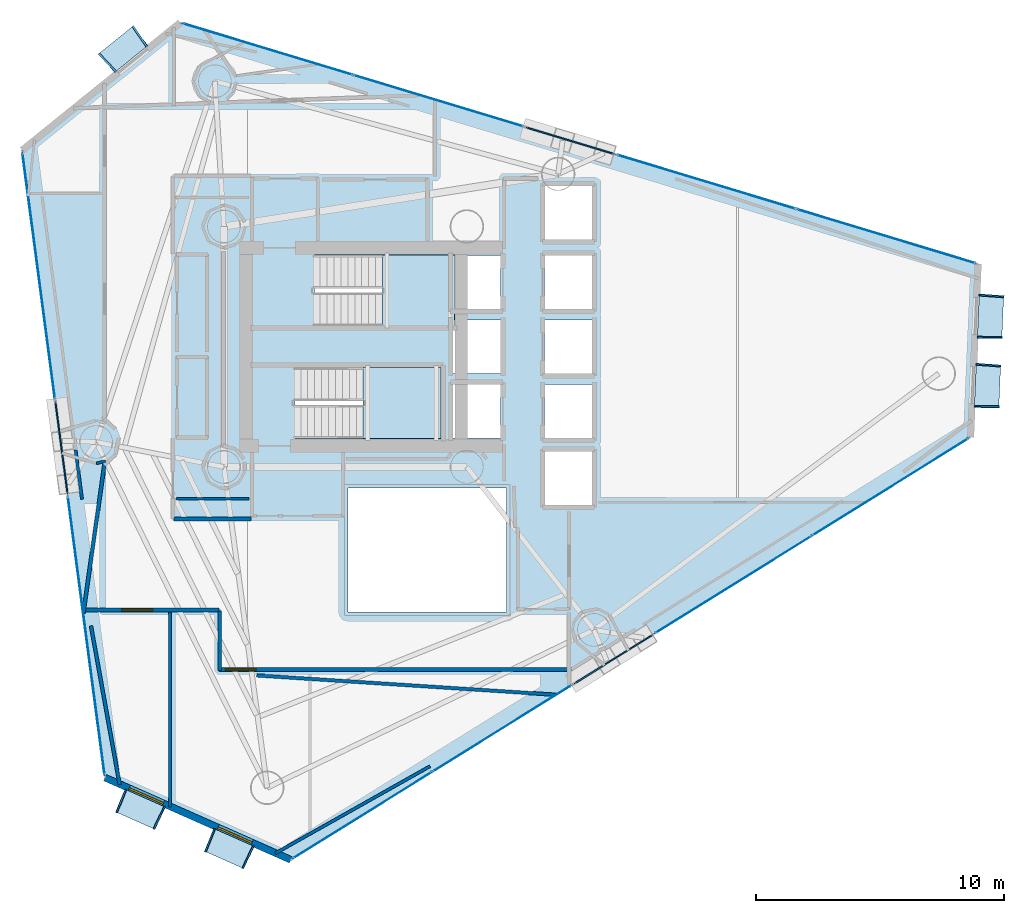
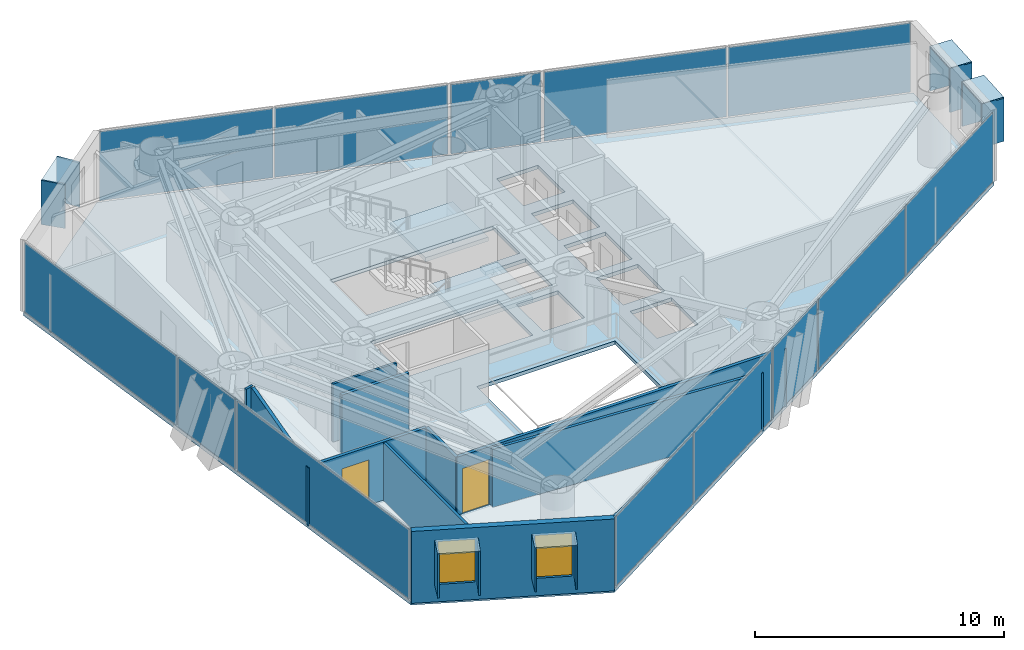
# One storey, part 17 of 22: 28 plates, 13 walls, 3 slabs, 2 doors, 2 windows, 4 openings, 11 elements without a shape of their own.
"""IFC4 building model written with IfcOpenShell, lengths in metres."""

from ifc_helpers import new_model, si_unit, direction, frame, frame_2d, origin, origin_2d, place, context, subcontext, project, spatial, polyline, rectangle, outline, extrude, material, layer, layer_set, type_object, element, fill, aggregate, save


model = new_model("IFC4")

# Units and contexts
model_context = context("Model", 3, precision=1e-05, world=origin(), true_north=direction((0.0, 1.0)))
body_context = subcontext(model_context, "Body", "Model", "MODEL_VIEW")
ifc_project = project(units=[si_unit("LENGTHUNIT", "METRE"), si_unit("AREAUNIT", "SQUARE_METRE"), si_unit("VOLUMEUNIT", "CUBIC_METRE"), si_unit("PLANEANGLEUNIT", "RADIAN"), si_unit("MASSUNIT", "GRAM", prefix="KILO")], contexts=[model_context])

# Site, building, storey
site_placement = place(None, origin())
site = spatial("IfcSite", under=ifc_project, at=site_placement, CompositionType="ELEMENT")
building_placement = place(site_placement, origin())
building = spatial("IfcBuilding", under=site, at=building_placement, Name="Qianvela Tower", CompositionType="ELEMENT")
storey_placement = place(building_placement, frame((0.0, 0.0, 177.199951171875)))
storey = spatial("IfcBuildingStorey", under=building, at=storey_placement, Name="L45", CompositionType="ELEMENT", Elevation=177.199951171875)

# Curtain wall, plate
ifc_material_1 = material(Name="Anodised Architectural Aluminium and Insulated Spandrel Panel", Category="aluminium")
ifc_layer_1 = layer(ifc_material_1, 0.179931640625)
ifc_layer_set_1 = layer_set([ifc_layer_1], Name="Anodised Architectural Aluminium and Insulated Spandrel Panel")
curtain_wall_type_1 = type_object("IfcCurtainWallType", Name="CW-BRACEBAY", PredefinedType="USERDEFINED", material=ifc_layer_set_1)
curtain_wall_1_placement = place(storey_placement, origin())
curtain_wall_1 = element("IfcCurtainWall", 1, at=curtain_wall_1_placement, inside=storey, type_object=curtain_wall_type_1, Name="L45 CW-BRACEBAY Curtain Wall 02B", ObjectType="CURTAIN_WALL_SYSTEM", PredefinedType="USERDEFINED")
ifc_material_2 = material(Name="Insulated Aluminium Spandrel Panel with Mineral-Wool Backpan", Category="aluminium")
ifc_layer_2 = layer(ifc_material_2, 0.06005859375)
ifc_layer_set_2 = layer_set([ifc_layer_2], Name="Insulated Aluminium Spandrel Panel with Mineral-Wool Backpan")
plate_type_1 = type_object("IfcPlateType", Name="CW-BRACEBAY-PNL", PredefinedType="CURTAIN_PANEL", material=ifc_layer_set_2)
plate_1_placement = place(storey_placement, frame((42.564453125, 37.013916015625, 0.06494140625), z_axis=(0.0, 0.0, 1.0), x_axis=(-0.95715321114, 0.289581992541, 0.0)))
plate_1 = element("IfcPlate", 2, at=plate_1_placement, type_object=plate_type_1, Name="CW-9 panel 1.1", PredefinedType="CURTAIN_PANEL", context=body_context, shape_type="SweptSolid", body=[
    extrude(rectangle(XDim=3.699951171875, YDim=0.06005859375, at=origin_2d()), origin(), (0.0, 0.0, 1.0), 3.389892578125),
])
aggregate(curtain_wall_1, [plate_1])

curtain_wall_2_placement = place(storey_placement, origin())
curtain_wall_2 = element("IfcCurtainWall", 3, at=curtain_wall_2_placement, inside=storey, type_object=curtain_wall_type_1, Name="L45 CW-BRACEBAY Curtain Wall 04B", ObjectType="CURTAIN_WALL_SYSTEM", PredefinedType="USERDEFINED")
plate_2_placement = place(storey_placement, frame((22.046630859375, 24.625244140625, 0.06494140625), z_axis=(0.0, 0.0, 1.0), x_axis=(0.130853552589, -0.99140170858, 0.0)))
plate_2 = element("IfcPlate", 4, at=plate_2_placement, type_object=plate_type_1, Name="CW-9 panel 1.1", PredefinedType="CURTAIN_PANEL", context=body_context, shape_type="SweptSolid", body=[
    extrude(rectangle(XDim=3.739990234375, YDim=0.06005859375, at=origin_2d()), origin(), (0.0, 0.0, 1.0), 3.389892578125),
])
aggregate(curtain_wall_2, [plate_2])

curtain_wall_3_placement = place(storey_placement, origin())
curtain_wall_3 = element("IfcCurtainWall", 5, at=curtain_wall_3_placement, inside=storey, type_object=curtain_wall_type_1, Name="L45 CW-BRACEBAY Curtain Wall 06B", ObjectType="CURTAIN_WALL_SYSTEM", PredefinedType="USERDEFINED")
plate_3_placement = place(storey_placement, frame((44.319091796875, 16.099365234375, 0.06494140625), z_axis=(0.0, 0.0, 1.0), x_axis=(0.84921548916, 0.528046449634, 0.0)))
plate_3 = element("IfcPlate", 6, at=plate_3_placement, type_object=plate_type_1, Name="CW-9 panel 1.1", PredefinedType="CURTAIN_PANEL", context=body_context, shape_type="SweptSolid", body=[
    extrude(rectangle(XDim=3.739990234375, YDim=0.06005859375, at=origin_2d()), origin(), (0.0, 0.0, 1.0), 3.389892578125),
])
aggregate(curtain_wall_3, [plate_3])

# Curtain wall, plates
ifc_material_3 = material(Name="Anodised Architectural Aluminium and Low-E Glass", Category="aluminium")
ifc_layer_3 = layer(ifc_material_3, 0.169921875)
ifc_layer_set_3 = layer_set([ifc_layer_3], Name="Anodised Architectural Aluminium and Low-E Glass")
curtain_wall_type_2 = type_object("IfcCurtainWallType", Name="CW-COLIV-Z34", PredefinedType="USERDEFINED", material=ifc_layer_set_3)
curtain_wall_4_placement = place(storey_placement, origin())
curtain_wall_4 = element("IfcCurtainWall", 7, at=curtain_wall_4_placement, inside=storey, type_object=curtain_wall_type_2, Name="L45 CW-COLIV-Z34 Curtain Wall 02A", ObjectType="CURTAIN_WALL_SYSTEM", PredefinedType="USERDEFINED")
ifc_material_4 = material(Name="Double-Silver Low-E Insulated Glass", Category="glass")
ifc_layer_4 = layer(ifc_material_4, 0.028076171875)
ifc_layer_set_4 = layer_set([ifc_layer_4], Name="Double-Silver Low-E Insulated Glass")
plate_type_2 = type_object("IfcPlateType", Name="CW-COLIV-Z34-PNL", PredefinedType="CURTAIN_PANEL", material=ifc_layer_set_4)
plate_4_placement = place(storey_placement, frame((55.31494140625, 33.156494140625, 0.06494140625), z_axis=(0.0, 0.0, 1.0), x_axis=(-0.957153586305, 0.28958075251, 0.0)))
plate_4 = element("IfcPlate", 8, at=plate_4_placement, type_object=plate_type_2, Name="CW-4 panel 1.1", PredefinedType="CURTAIN_PANEL", context=body_context, shape_type="SweptSolid", body=[
    extrude(rectangle(XDim=7.517578125, YDim=0.028076171875, at=origin_2d()), origin(), (0.0, 0.0, 1.0), 3.389892578125),
])
plate_5_placement = place(storey_placement, frame((48.057373046875, 35.35205078125, 0.06494140625), z_axis=(0.0, 0.0, 1.0), x_axis=(-0.957153586305, 0.28958075251, 0.0)))
plate_5 = element("IfcPlate", 9, at=plate_5_placement, type_object=plate_type_2, Name="CW-4 panel 2.1", PredefinedType="CURTAIN_PANEL", context=body_context, shape_type="SweptSolid", body=[
    extrude(rectangle(XDim=7.517578125, YDim=0.028076171875, at=origin_2d()), origin(), (0.0, 0.0, 1.0), 3.389892578125),
])
aggregate(curtain_wall_4, [plate_4, plate_5])

curtain_wall_5_placement = place(storey_placement, origin())
curtain_wall_5 = element("IfcCurtainWall", 10, at=curtain_wall_5_placement, inside=storey, type_object=curtain_wall_type_2, Name="L45 CW-COLIV-Z34 Curtain Wall 02C", ObjectType="CURTAIN_WALL_SYSTEM", PredefinedType="USERDEFINED")
plate_6_placement = place(storey_placement, frame((37.254638671875, 38.620361328125, 0.06494140625), z_axis=(0.0, 0.0, 1.0), x_axis=(-0.957152399024, 0.289584676809, 0.0)))
plate_6 = element("IfcPlate", 11, at=plate_6_placement, type_object=plate_type_2, Name="CW-4 panel 1.1", PredefinedType="CURTAIN_PANEL", context=body_context, shape_type="SweptSolid", body=[
    extrude(rectangle(XDim=7.135009765625, YDim=0.028076171875, at=origin_2d()), origin(), (0.0, 0.0, 1.0), 3.389892578125),
])
plate_7_placement = place(storey_placement, frame((30.363037109375, 40.70556640625, 0.06494140625), z_axis=(0.0, 0.0, 1.0), x_axis=(-0.957152399024, 0.289584676809, 0.0)))
plate_7 = element("IfcPlate", 12, at=plate_7_placement, type_object=plate_type_2, Name="CW-4 panel 2.1", PredefinedType="CURTAIN_PANEL", context=body_context, shape_type="SweptSolid", body=[
    extrude(rectangle(XDim=7.135009765625, YDim=0.028076171875, at=origin_2d()), origin(), (0.0, 0.0, 1.0), 3.389892578125),
])
aggregate(curtain_wall_5, [plate_6, plate_7])

# Curtain wall, plate
curtain_wall_6_placement = place(storey_placement, origin())
curtain_wall_6 = element("IfcCurtainWall", 13, at=curtain_wall_6_placement, inside=storey, type_object=curtain_wall_type_2, Name="L45 CW-COLIV-Z34 Curtain Wall 04A", ObjectType="CURTAIN_WALL_SYSTEM", PredefinedType="USERDEFINED")
plate_8_placement = place(storey_placement, frame((21.131103515625, 31.56005859375, 0.06494140625), z_axis=(0.0, 0.0, 1.0), x_axis=(0.130880096691, -0.991398204704, 0.0)))
plate_8 = element("IfcPlate", 14, at=plate_8_placement, type_object=plate_type_2, Name="CW-4 panel 1.1", PredefinedType="CURTAIN_PANEL", context=body_context, shape_type="SweptSolid", body=[
    extrude(rectangle(XDim=9.989990234375, YDim=0.028076171875, at=origin_2d()), origin(), (0.0, 0.0, 1.0), 3.389892578125),
])
aggregate(curtain_wall_6, [plate_8])

curtain_wall_7_placement = place(storey_placement, origin())
curtain_wall_7 = element("IfcCurtainWall", 15, at=curtain_wall_7_placement, inside=storey, type_object=curtain_wall_type_2, Name="L45 CW-COLIV-Z34 Curtain Wall 04C", ObjectType="CURTAIN_WALL_SYSTEM", PredefinedType="USERDEFINED")
plate_9_placement = place(storey_placement, frame((23.04833984375, 17.03662109375, 0.06494140625), z_axis=(0.0, 0.0, 1.0), x_axis=(0.130879195646, -0.991398323656, 0.0)))
plate_9 = element("IfcPlate", 16, at=plate_9_placement, type_object=plate_type_2, Name="CW-4 panel 1.1", PredefinedType="CURTAIN_PANEL", context=body_context, shape_type="SweptSolid", body=[
    extrude(rectangle(XDim=11.308837890625, YDim=0.028076171875, at=origin_2d()), origin(), (0.0, 0.0, 1.0), 3.389892578125),
])
aggregate(curtain_wall_7, [plate_9])

# Curtain wall, plates
curtain_wall_8_placement = place(storey_placement, origin())
curtain_wall_8 = element("IfcCurtainWall", 17, at=curtain_wall_8_placement, inside=storey, type_object=curtain_wall_type_2, Name="L45 CW-COLIV-Z34 Curtain Wall 06A", ObjectType="CURTAIN_WALL_SYSTEM", PredefinedType="USERDEFINED")
plate_10_placement = place(storey_placement, frame((34.186767578125, 9.799072265625, 0.06494140625), z_axis=(0.0, 0.0, 1.0), x_axis=(0.849221052644, 0.528037502216, 0.0)))
plate_10 = element("IfcPlate", 18, at=plate_10_placement, type_object=plate_type_2, Name="CW-4 panel 1.1", PredefinedType="CURTAIN_PANEL", context=body_context, shape_type="SweptSolid", body=[
    extrude(rectangle(XDim=6.577392578125, YDim=0.028076171875, at=origin_2d()), origin(), (0.0, 0.0, 1.0), 3.389892578125),
])
plate_11_placement = place(storey_placement, frame((39.82763671875, 13.306640625, 0.06494140625), z_axis=(0.0, 0.0, 1.0), x_axis=(0.849221052644, 0.528037502216, 0.0)))
plate_11 = element("IfcPlate", 19, at=plate_11_placement, type_object=plate_type_2, Name="CW-4 panel 2.1", PredefinedType="CURTAIN_PANEL", context=body_context, shape_type="SweptSolid", body=[
    extrude(rectangle(XDim=6.577392578125, YDim=0.028076171875, at=origin_2d()), origin(), (0.0, 0.0, 1.0), 3.389892578125),
])
aggregate(curtain_wall_8, [plate_10, plate_11])

curtain_wall_9_placement = place(storey_placement, origin())
curtain_wall_9 = element("IfcCurtainWall", 20, at=curtain_wall_9_placement, inside=storey, type_object=curtain_wall_type_2, Name="L45 CW-COLIV-Z34 Curtain Wall 06C", ObjectType="CURTAIN_WALL_SYSTEM", PredefinedType="USERDEFINED")
plate_12_placement = place(storey_placement, frame((49.154296875, 19.105712890625, 0.06494140625), z_axis=(0.0, 0.0, 1.0), x_axis=(0.849220964576, 0.528037643852, 0.0)))
plate_12 = element("IfcPlate", 21, at=plate_12_placement, type_object=plate_type_2, Name="CW-4 panel 1.1", PredefinedType="CURTAIN_PANEL", context=body_context, shape_type="SweptSolid", body=[
    extrude(rectangle(XDim=7.387451171875, YDim=0.028076171875, at=origin_2d()), origin(), (0.0, 0.0, 1.0), 3.389892578125),
])
plate_13_placement = place(storey_placement, frame((55.48291015625, 23.041015625, 0.06494140625), z_axis=(0.0, 0.0, 1.0), x_axis=(0.849220964576, 0.528037643852, 0.0)))
plate_13 = element("IfcPlate", 22, at=plate_13_placement, type_object=plate_type_2, Name="CW-4 panel 2.1", PredefinedType="CURTAIN_PANEL", context=body_context, shape_type="SweptSolid", body=[
    extrude(rectangle(XDim=7.387451171875, YDim=0.028076171875, at=origin_2d()), origin(), (0.0, 0.0, 1.0), 3.389892578125),
])
aggregate(curtain_wall_9, [plate_12, plate_13])

# Slab
ifc_material_5 = material(Name="Concrete C40", Category="concrete")
ifc_layer_5 = layer(ifc_material_5, 0.179931640625)
ifc_layer_set_5 = layer_set([ifc_layer_5], Name="Concrete C40")
slab_type_1 = type_object("IfcSlabType", Name="SL-FLOOR-180", PredefinedType="FLOOR", material=ifc_layer_set_5)
slab_1_placement = place(storey_placement, frame((0.0, 0.0, -0.179931640625)))
element("IfcSlab", 23, at=slab_1_placement, inside=storey, type_object=slab_type_1, Name="L45 Composite Structural Floor Slab", PredefinedType="FLOOR", context=body_context, shape_type="SweptSolid", body=[
    extrude(outline(polyline([(58.717529296875, 25.052001953125), (59.022705078125, 32.03466796875), (26.83837890625, 41.77197265625), (20.46240234375, 36.6259765625), (23.803466796875, 11.31689453125), (31.296142578125, 8.001708984375), (58.717529296875, 25.052001953125)]), holes=[polyline([(40.0, 23.0), (33.60009765625, 23.0), (33.60009765625, 18.0), (40.0, 18.0), (40.0, 23.0)]), polyline([(39.760009765625, 27.179931640625), (37.840087890625, 27.179931640625), (37.840087890625, 25.02001953125), (39.760009765625, 25.02001953125), (39.760009765625, 27.179931640625)]), polyline([(37.35009765625, 27.860107421875), (31.469970703125, 27.860107421875), (31.469970703125, 25.0), (37.35009765625, 25.0), (37.35009765625, 27.860107421875)]), polyline([(37.840087890625, 27.6201171875), (39.760009765625, 27.6201171875), (39.760009765625, 29.780029296875), (37.89990234375, 29.780029296875), (37.89990234375, 30.219970703125), (39.760009765625, 30.219970703125), (39.760009765625, 32.3798828125), (37.89990234375, 32.3798828125), (37.89990234375, 32.39990234375), (32.25, 32.39990234375), (32.25, 29.5400390625), (37.840087890625, 29.5400390625), (37.840087890625, 27.6201171875)]), polyline([(43.4599609375, 22.320068359375), (43.4599609375, 24.47998046875), (41.5400390625, 24.47998046875), (41.5400390625, 22.320068359375), (43.4599609375, 22.320068359375)]), polyline([(43.4599609375, 25.02001953125), (43.4599609375, 27.179931640625), (41.5400390625, 27.179931640625), (41.5400390625, 25.02001953125), (43.4599609375, 25.02001953125)]), polyline([(43.4599609375, 29.780029296875), (41.5400390625, 29.780029296875), (41.5400390625, 27.6201171875), (43.4599609375, 27.6201171875), (43.4599609375, 29.780029296875)]), polyline([(43.4599609375, 30.219970703125), (43.4599609375, 32.3798828125), (41.5400390625, 32.3798828125), (41.5400390625, 30.219970703125), (43.4599609375, 30.219970703125)]), polyline([(43.4599609375, 33.02001953125), (43.4599609375, 35.179931640625), (41.5400390625, 35.179931640625), (41.5400390625, 33.02001953125), (43.4599609375, 33.02001953125)])]), origin(), (0.0, 0.0, 1.0), 0.179931640625),
])

# Stair, slab
ifc_material_6 = material(Name="Concrete C40", Category="concrete")
stair_type = type_object("IfcStairType", Name="ST-DOGLEG-1350-R168-N22", PredefinedType="HALF_TURN_STAIR", material=ifc_material_6)
stair_1_placement = place(storey_placement, origin())
stair_1 = element("IfcStair", 24, at=stair_1_placement, inside=storey, type_object=stair_type, Name="L45 Smoke-Proof Core Stair ST-1", PredefinedType="HALF_TURN_STAIR")
ifc_material_7 = material(Name="Concrete C40", Category="concrete")
ifc_layer_6 = layer(ifc_material_7, 0.199951171875)
ifc_layer_set_6 = layer_set([ifc_layer_6], Name="Concrete C40")
slab_type_2 = type_object("IfcSlabType", Name="SL-STAIR-LANDING-200", PredefinedType="LANDING", material=ifc_layer_set_6)
slab_2_placement = place(storey_placement, frame((0.0, 0.0, 1.650146484375)))
slab_2 = element("IfcSlab", 25, at=slab_2_placement, type_object=slab_type_2, Name="ST-1 landing 1", PredefinedType="LANDING", context=body_context, shape_type="SweptSolid", body=[
    extrude(outline(polyline([(35.0, 29.5400390625), (37.89990234375, 29.5400390625), (37.89990234375, 32.39990234375), (35.0, 32.39990234375), (35.0, 29.5400390625)])), origin(), (0.0, 0.0, 1.0), 0.199951171875),
])
aggregate(stair_1, [slab_2])

stair_2_placement = place(storey_placement, origin())
stair_2 = element("IfcStair", 26, at=stair_2_placement, inside=storey, type_object=stair_type, Name="L45 Smoke-Proof Core Stair ST-2", PredefinedType="HALF_TURN_STAIR")
slab_3_placement = place(storey_placement, frame((0.0, 0.0, 1.650146484375)))
slab_3 = element("IfcSlab", 27, at=slab_3_placement, type_object=slab_type_2, Name="ST-2 landing 1", PredefinedType="LANDING", context=body_context, shape_type="SweptSolid", body=[
    extrude(outline(polyline([(34.219970703125, 25.0), (37.35009765625, 25.0), (37.35009765625, 27.860107421875), (34.219970703125, 27.860107421875), (34.219970703125, 25.0)])), origin(), (0.0, 0.0, 1.0), 0.199951171875),
])
aggregate(stair_2, [slab_3])

# Plates
ifc_material_8 = material(Name="Vitrified Architectural Terracotta Panel", Category="masonry")
ifc_layer_7 = layer(ifc_material_8, 0.06494140625)
ifc_layer_set_7 = layer_set([ifc_layer_7], Name="Vitrified Architectural Terracotta Panel")
plate_type_3 = type_object("IfcPlateType", Name="TERRACOTTA-SUNSHADE-HOOD-FOLD-B", PredefinedType="USERDEFINED", material=ifc_layer_set_7)
for number, where, z_axis, x_axis, name in (
    (28, (59.403564453125, 27.120849609375, 2.9599609375), (0.0, 0.0, 1.0), (0.04368215933, 0.999045478923, 0.0), "L45 Terracotta Sunshade Hood FOLD-B"),
    (29, (59.525634765625, 29.913818359375, 2.9599609375), (0.0, 0.0, 1.0), (0.04368215933, 0.999045478923, 0.0), "L45 Terracotta Sunshade Hood FOLD-B"),
    (30, (25.22509765625, 10.037109375, 2.9599609375), (0.0, 0.0, 1.0), (0.914495622417, -0.404595794071, 0.0), "L45 Terracotta Sunshade Hood FOLD-B"),
    (31, (28.8076171875, 8.4521484375, 2.9599609375), (0.0, 0.0, 1.0), (0.914495622417, -0.404595794071, 0.0), "L45 Terracotta Sunshade Hood FOLD-B"),
):
    element("IfcPlate", number, at=place(storey_placement, frame(where, z_axis=z_axis, x_axis=x_axis)), inside=storey, type_object=plate_type_3, Name=name, ObjectType="SUNSHADE", PredefinedType="USERDEFINED", context=body_context, shape_type="SweptSolid", body=[
        extrude(rectangle(XDim=1.739990234375, YDim=0.989990234375, at=origin_2d()), origin(), (0.0, 0.0, 1.0), 0.06005859375),
    ])
ifc_material_9 = material(Name="Vitrified Architectural Terracotta Panel", Category="masonry")
ifc_layer_8 = layer(ifc_material_9, 0.074951171875)
ifc_layer_set_8 = layer_set([ifc_layer_8], Name="Vitrified Architectural Terracotta Panel")
plate_type_4 = type_object("IfcPlateType", Name="TERRACOTTA-SUNSHADE-HOOD-FOLD-D", PredefinedType="USERDEFINED", material=ifc_layer_set_8)
plate_14_placement = place(storey_placement, frame((24.5517578125, 40.691162109375, 2.9599609375), z_axis=(0.0, 0.0, 1.0), x_axis=(-0.778171903369, -0.628051342493, 0.0)))
element("IfcPlate", 32, at=plate_14_placement, inside=storey, type_object=plate_type_4, Name="L45 Terracotta Sunshade Hood FOLD-D", ObjectType="SUNSHADE", PredefinedType="USERDEFINED", context=body_context, shape_type="SweptSolid", body=[
    extrude(rectangle(XDim=1.739990234375, YDim=0.989990234375, at=origin_2d()), origin(), (0.0, 0.0, 1.0), 0.06005859375),
])
ifc_material_10 = material(Name="Vitrified Architectural Terracotta Side Fin Panel", Category="masonry")
ifc_layer_9 = layer(ifc_material_10, 0.070068359375)
ifc_layer_set_9 = layer_set([ifc_layer_9], Name="Vitrified Architectural Terracotta Side Fin Panel")
plate_type_5 = type_object("IfcPlateType", Name="TERRACOTTA-SUNSHADE-STRUT-FOLD-B", PredefinedType="USERDEFINED", material=ifc_layer_set_9)
for number, where, z_axis, x_axis, name in (
    (33, (59.36669921875, 26.28173828125, 0.85009765625), (0.0, 0.0, 1.0), (0.013152422016, 0.999913503157, 0.0), "L45 Terracotta Sunshade Side Fin HL FOLD-B"),
    (34, (59.440185546875, 27.960205078125, 0.85009765625), (0.0, 0.0, 1.0), (0.074171149126, 0.997245526757, 0.0), "L45 Terracotta Sunshade Side Fin HR FOLD-B"),
    (35, (59.489013671875, 29.07470703125, 0.85009765625), (0.0, 0.0, 1.0), (0.013152422016, 0.999913503157, 0.0), "L45 Terracotta Sunshade Side Fin HL FOLD-B"),
    (36, (59.562255859375, 30.753173828125, 0.85009765625), (0.0, 0.0, 1.0), (0.074171149126, 0.997245526757, 0.0), "L45 Terracotta Sunshade Side Fin HR FOLD-B"),
    (37, (24.45703125, 10.376953125, 0.85009765625), (0.0, 0.0, 1.0), (0.926424847281, -0.37647975024, 0.0), "L45 Terracotta Sunshade Side Fin HL FOLD-B"),
    (38, (25.993408203125, 9.697265625, 0.85009765625), (0.0, 0.0, 1.0), (0.901713339277, -0.432334423531, 0.0), "L45 Terracotta Sunshade Side Fin HR FOLD-B"),
    (39, (28.039306640625, 8.7919921875, 0.85009765625), (0.0, 0.0, 1.0), (0.926424847281, -0.37647975024, 0.0), "L45 Terracotta Sunshade Side Fin HL FOLD-B"),
    (40, (29.57568359375, 8.1123046875, 0.85009765625), (0.0, 0.0, 1.0), (0.901713339277, -0.432334423531, 0.0), "L45 Terracotta Sunshade Side Fin HR FOLD-B"),
):
    element("IfcPlate", number, at=place(storey_placement, frame(where, z_axis=z_axis, x_axis=x_axis)), inside=storey, type_object=plate_type_5, Name=name, ObjectType="SUNSHADE", PredefinedType="USERDEFINED", context=body_context, shape_type="SweptSolid", body=[
        extrude(rectangle(XDim=0.070068359375, YDim=1.010009765625, at=origin_2d()), origin(), (0.0, 0.0, 1.0), 2.159912109375),
    ])
ifc_material_11 = material(Name="Vitrified Architectural Terracotta Side Fin Panel", Category="masonry")
ifc_layer_10 = layer(ifc_material_11, 0.080078125)
ifc_layer_set_10 = layer_set([ifc_layer_10], Name="Vitrified Architectural Terracotta Side Fin Panel")
plate_type_6 = type_object("IfcPlateType", Name="TERRACOTTA-SUNSHADE-STRUT-FOLD-D", PredefinedType="USERDEFINED", material=ifc_layer_set_10)
for number, where, z_axis, x_axis, name in (
    (41, (25.20556640625, 41.21875, 0.85009765625), (0.0, 0.0, 1.0), (-0.822576011431, -0.568655172682, 0.0), "L45 Terracotta Sunshade Side Fin HL FOLD-D"),
    (42, (23.898193359375, 40.16357421875, 0.85009765625), (0.0, 0.0, 1.0), (-0.729488137917, -0.683993462424, 0.0), "L45 Terracotta Sunshade Side Fin HR FOLD-D"),
):
    element("IfcPlate", number, at=place(storey_placement, frame(where, z_axis=z_axis, x_axis=x_axis)), inside=storey, type_object=plate_type_6, Name=name, ObjectType="SUNSHADE", PredefinedType="USERDEFINED", context=body_context, shape_type="SweptSolid", body=[
        extrude(rectangle(XDim=0.080078125, YDim=1.010009765625, at=origin_2d()), origin(), (0.0, 0.0, 1.0), 2.159912109375),
    ])

# Wall, openings, windows
ifc_material_12 = material(Name="Terracotta Cladding on Concrete C40", Category="masonry")
ifc_layer_11 = layer(ifc_material_12, 0.280029296875)
ifc_layer_set_11 = layer_set([ifc_layer_11], Name="Terracotta Cladding on Concrete C40")
wall_type_1 = type_object("IfcWallType", Name="TERRACOTTA-WALL-280", PredefinedType="SOLIDWALL", material=ifc_layer_set_11)
wall_1_placement = place(storey_placement, frame((23.803466796875, 11.31689453125, 0.0), z_axis=(0.0, 0.0, 1.0), x_axis=(0.914484878605, -0.404620077112, 0.0)))
wall_1 = element("IfcWall", 43, at=wall_1_placement, inside=storey, type_object=wall_type_1, Name="L45 Terracotta Chamfer Facet Wall 5", PredefinedType="SOLIDWALL", context=body_context, shape_type="SweptSolid", body=[
    extrude(rectangle(XDim=8.193359375, YDim=0.280029296875, at=frame_2d((4.0966796875, 0.0))), origin(), (0.0, 0.0, 1.0), 3.52001953125),
])
opening_1_placement = place(wall_1_placement, frame((1.068115234375, 0.0, 0.85009765625)))
opening_1 = element("IfcOpeningElement", 44, at=opening_1_placement, cuts=wall_1, Name="Opening W-02", PredefinedType="OPENING", context=body_context, shape_type="SweptSolid", body=[
    extrude(rectangle(XDim=1.5, YDim=2.10009765625, at=frame_2d((0.75, 1.050048828125))), frame((0.0, 0.14990234375, 0.0), z_axis=(0.0, -1.0, 0.0), x_axis=(1.0, 0.0, 0.0)), (0.0, 0.0, 1.0), 0.300048828125),
])
opening_2_placement = place(wall_1_placement, frame((4.9853515625, 0.0, 0.85009765625)))
opening_2 = element("IfcOpeningElement", 45, at=opening_2_placement, cuts=wall_1, Name="Opening W-02", PredefinedType="OPENING", context=body_context, shape_type="SweptSolid", body=[
    extrude(rectangle(XDim=1.5, YDim=2.10009765625, at=frame_2d((0.75, 1.050048828125))), frame((0.0, 0.14990234375, 0.0), z_axis=(0.0, -1.0, 0.0), x_axis=(1.0, 0.0, 0.0)), (0.0, 0.0, 1.0), 0.300048828125),
])
ifc_material_13 = material(Name="Thermally Broken Aluminium and Low-E Glass", Category="aluminium")
window_type = type_object("IfcWindowType", Name="WIN-TC-1500x2100", PartitioningType="DOUBLE_PANEL_VERTICAL", PredefinedType="WINDOW", material=ifc_material_13)
window_1_placement = place(opening_1_placement, origin())
window_1 = element("IfcWindow", 46, at=window_1_placement, inside=storey, type_object=window_type, Name="L45 Chamfer Facet Window 5.1", OverallHeight=2.10009765625, OverallWidth=1.5, PartitioningType="SINGLE_PANEL", PredefinedType="WINDOW", context=body_context, shape_type="SweptSolid", body=[
    extrude(rectangle(XDim=1.5, YDim=2.10009765625, at=frame_2d((0.75, 1.050048828125))), frame((0.0, 0.030029296875, 0.0), z_axis=(0.0, -1.0, 0.0), x_axis=(1.0, 0.0, 0.0)), (0.0, 0.0, 1.0), 0.06005859375),
])
fill(opening_1, window_1)
window_2_placement = place(opening_2_placement, origin())
window_2 = element("IfcWindow", 47, at=window_2_placement, inside=storey, type_object=window_type, Name="L45 Chamfer Facet Window 5.2", OverallHeight=2.10009765625, OverallWidth=1.5, PartitioningType="SINGLE_PANEL", PredefinedType="WINDOW", context=body_context, shape_type="SweptSolid", body=[
    extrude(rectangle(XDim=1.5, YDim=2.10009765625, at=frame_2d((0.75, 1.050048828125))), frame((0.0, 0.030029296875, 0.0), z_axis=(0.0, -1.0, 0.0), x_axis=(1.0, 0.0, 0.0)), (0.0, 0.0, 1.0), 0.06005859375),
])
fill(opening_2, window_2)

# Wall
ifc_material_14 = material(Name="Fire-Rated Acoustic Gypsum Board")
ifc_layer_12 = layer(ifc_material_14, 0.14990234375)
ifc_layer_set_12 = layer_set([ifc_layer_12], Name="Fire-Rated Acoustic Gypsum Board")
wall_type_2 = type_object("IfcWallType", Name="WT-CORR-150", PredefinedType="PARTITIONING", material=ifc_layer_set_12)
wall_2_placement = place(storey_placement, frame((26.580078125, 21.7490234375, 0.0), z_axis=(0.0, 0.0, 1.0), x_axis=(1.0, 0.0, 0.0)))
element("IfcWall", 48, at=wall_2_placement, inside=storey, type_object=wall_type_2, Name="L45 Partition 55 seg 1", PredefinedType="PARTITIONING", context=body_context, shape_type="SweptSolid", body=[
    extrude(rectangle(XDim=3.119873046875, YDim=0.14990234375, at=frame_2d((1.56005859375, 0.0))), origin(), (0.0, 0.0, 1.0), 2.840087890625),
])

# Wall, opening, door
wall_3_placement = place(storey_placement, frame((43.666259765625, 15.680908203125, 0.0), z_axis=(0.0, 0.0, 1.0), x_axis=(-1.0, 0.0, 0.0)))
wall_3 = element("IfcWall", 49, at=wall_3_placement, inside=storey, type_object=wall_type_2, Name="L45 Partition 58", PredefinedType="PARTITIONING", context=body_context, shape_type="SweptSolid", body=[
    extrude(rectangle(XDim=15.266357421875, YDim=0.14990234375, at=frame_2d((7.63330078125, 0.0))), origin(), (0.0, 0.0, 1.0), 2.840087890625),
])
opening_3_placement = place(wall_3_placement, frame((13.761962890625, 0.0, 0.0)))
opening_3 = element("IfcOpeningElement", 50, at=opening_3_placement, cuts=wall_3, Name="Opening D-LG1", PredefinedType="OPENING", context=body_context, shape_type="SweptSolid", body=[
    extrude(rectangle(XDim=1.25, YDim=2.199951171875, at=frame_2d((0.625, 1.10009765625))), frame((0.0, 0.0849609375, 0.0), z_axis=(0.0, -1.0, 0.0), x_axis=(1.0, 0.0, 0.0)), (0.0, 0.0, 1.0), 0.169921875),
])
ifc_material_15 = material(Name="Anodised Aluminium Acoustic Glass Door", Category="aluminium")
door_type = type_object("IfcDoorType", Name="DT-LOUNGE-1250", OperationType="NOTDEFINED", PredefinedType="DOOR", material=ifc_material_15)
door_1_placement = place(opening_3_placement, origin())
door_1 = element("IfcDoor", 51, at=door_1_placement, inside=storey, type_object=door_type, Name="L45 Door Graduate Seminar Classroom L45-02 to L45 Floor Corridor", OperationType="SINGLE_SWING_RIGHT", OverallHeight=2.199951171875, OverallWidth=1.25, PredefinedType="DOOR", context=body_context, shape_type="SweptSolid", body=[
    extrude(rectangle(XDim=1.25, YDim=2.199951171875, at=frame_2d((0.625, 1.10009765625))), frame((0.0, 0.02490234375, 0.0), z_axis=(0.0, -1.0, 0.0), x_axis=(1.0, 0.0, 0.0)), (0.0, 0.0, 1.0), 0.050048828125),
])
fill(opening_3, door_1)

# Wall
wall_4_placement = place(storey_placement, frame((28.430908203125, 15.64990234375, 0.0), z_axis=(0.0, 0.0, 1.0), x_axis=(0.0, 1.0, 0.0)))
element("IfcWall", 52, at=wall_4_placement, inside=storey, type_object=wall_type_2, Name="L45 Partition 59", PredefinedType="PARTITIONING", context=body_context, shape_type="SweptSolid", body=[
    extrude(rectangle(XDim=2.400146484375, YDim=0.14990234375, at=frame_2d((1.2001953125, 0.0))), origin(), (0.0, 0.0, 1.0), 2.840087890625),
])

# Wall, opening, door
wall_5_placement = place(storey_placement, frame((28.39990234375, 18.0810546875, 0.0), z_axis=(0.0, 0.0, 1.0), x_axis=(-1.0, 0.0, 0.0)))
wall_5 = element("IfcWall", 53, at=wall_5_placement, inside=storey, type_object=wall_type_2, Name="L45 Partition 60", PredefinedType="PARTITIONING", context=body_context, shape_type="SweptSolid", body=[
    extrude(rectangle(XDim=5.509521484375, YDim=0.14990234375, at=frame_2d((2.7548828125, 0.0))), origin(), (0.0, 0.0, 1.0), 2.840087890625),
])
opening_4_placement = place(wall_5_placement, frame((2.675537109375, 0.0, 0.0)))
opening_4 = element("IfcOpeningElement", 54, at=opening_4_placement, cuts=wall_5, Name="Opening D-LG1", PredefinedType="OPENING", context=body_context, shape_type="SweptSolid", body=[
    extrude(rectangle(XDim=1.25, YDim=2.199951171875, at=frame_2d((0.625, 1.10009765625))), frame((0.0, 0.0849609375, 0.0), z_axis=(0.0, -1.0, 0.0), x_axis=(1.0, 0.0, 0.0)), (0.0, 0.0, 1.0), 0.169921875),
])
door_2_placement = place(opening_4_placement, origin())
door_2 = element("IfcDoor", 55, at=door_2_placement, inside=storey, type_object=door_type, Name="L45 Door Debate Lecture Classroom L45-01 to L45 Floor Corridor", OperationType="SINGLE_SWING_LEFT", OverallHeight=2.199951171875, OverallWidth=1.25, PredefinedType="DOOR", context=body_context, shape_type="SweptSolid", body=[
    extrude(rectangle(XDim=1.25, YDim=2.199951171875, at=frame_2d((0.625, 1.10009765625))), frame((0.0, 0.02490234375, 0.0), z_axis=(0.0, -1.0, 0.0), x_axis=(1.0, 0.0, 0.0)), (0.0, 0.0, 1.0), 0.050048828125),
])
fill(opening_4, door_2)

# Walls
wall_6_placement = place(storey_placement, frame((22.929443359375, 17.9375, 0.0), z_axis=(0.0, 0.0, 1.0), x_axis=(0.140088619049, 0.990138969445, 0.0)))
element("IfcWall", 56, at=wall_6_placement, inside=storey, type_object=wall_type_2, Name="L45 Partition 61", PredefinedType="PARTITIONING", context=body_context, shape_type="SweptSolid", body=[
    extrude(rectangle(XDim=6.078857421875, YDim=0.14990234375, at=frame_2d((3.03955078125, 0.0))), origin(), (0.0, 0.0, 1.0), 2.840087890625),
])
ifc_material_16 = material(Name="Lightweight Gypsum Room Partition")
ifc_layer_13 = layer(ifc_material_16, 0.10498046875)
ifc_layer_set_13 = layer_set([ifc_layer_13], Name="Lightweight Gypsum Room Partition")
wall_type_3 = type_object("IfcWallType", Name="WT-PART-105", PredefinedType="PARTITIONING", material=ifc_layer_set_13)
wall_7_placement = place(storey_placement, frame((29.6201171875, 22.572998046875, 0.0), z_axis=(0.0, 0.0, 1.0), x_axis=(-1.0, 0.0, 0.0)))
element("IfcWall", 57, at=wall_7_placement, inside=storey, type_object=wall_type_3, Name="L45 Partition 154", PredefinedType="PARTITIONING", context=body_context, shape_type="SweptSolid", body=[
    extrude(rectangle(XDim=2.960205078125, YDim=0.10498046875, at=frame_2d((1.47998046875, 0.0))), origin(), (0.0, 0.0, 1.0), 2.840087890625),
])
wall_8_placement = place(storey_placement, frame((23.45361328125, 23.993896484375, 0.0), z_axis=(0.0, 0.0, 1.0), x_axis=(0.970364771144, 0.241644803217, 0.0)))
element("IfcWall", 58, at=wall_8_placement, inside=storey, type_object=wall_type_3, Name="L45 Partition 163", PredefinedType="PARTITIONING", context=body_context, shape_type="SweptSolid", body=[
    extrude(rectangle(XDim=0.386962890625, YDim=0.10498046875, at=frame_2d((0.193359375, 0.0))), origin(), (0.0, 0.0, 1.0), 2.840087890625),
])
ifc_material_17 = material(Name="Insulated Gypsum Stud Partition")
ifc_layer_14 = layer(ifc_material_17, 0.1201171875)
ifc_layer_set_14 = layer_set([ifc_layer_14], Name="Insulated Gypsum Stud Partition")
wall_type_4 = type_object("IfcWallType", Name="WT-PART-120", PredefinedType="PARTITIONING", material=ifc_layer_set_14)
wall_9_placement = place(storey_placement, frame((26.427001953125, 17.969970703125, 0.0), z_axis=(0.0, 0.0, 1.0), x_axis=(0.0, -1.0, 0.0)))
element("IfcWall", 59, at=wall_9_placement, inside=storey, type_object=wall_type_4, Name="L45 Partition 66", PredefinedType="PARTITIONING", context=body_context, shape_type="SweptSolid", body=[
    extrude(rectangle(XDim=7.833984375, YDim=0.1201171875, at=frame_2d((3.9169921875, 0.0))), origin(), (0.0, 0.0, 1.0), 2.840087890625),
])
wall_10_placement = place(storey_placement, frame((36.9140625, 11.777587890625, 0.0), z_axis=(0.0, 0.0, 1.0), x_axis=(-0.87133707404, -0.490684932929, 0.0)))
element("IfcWall", 60, at=wall_10_placement, inside=storey, type_object=wall_type_4, Name="L45 Partition 72 seg 1", PredefinedType="PARTITIONING", context=body_context, shape_type="SweptSolid", body=[
    extrude(rectangle(XDim=7.166748046875, YDim=0.1201171875, at=frame_2d((3.58349609375, 0.0))), origin(), (0.0, 0.0, 1.0), 2.840087890625),
])
wall_11_placement = place(storey_placement, frame((22.876708984375, 22.546142578125, 0.0), z_axis=(0.0, 0.0, 1.0), x_axis=(-0.130807368633, 0.991407803233, 0.0)))
element("IfcWall", 61, at=wall_11_placement, inside=storey, type_object=wall_type_4, Name="L45 Partition 165 seg 1", PredefinedType="PARTITIONING", context=body_context, shape_type="SweptSolid", body=[
    extrude(rectangle(XDim=2.004638671875, YDim=0.1201171875, at=frame_2d((1.00244140625, 0.0))), origin(), (0.0, 0.0, 1.0), 2.840087890625),
])
ifc_material_18 = material(Name="Acoustic Double Gypsum Stud Partition")
ifc_layer_15 = layer(ifc_material_18, 0.139892578125)
ifc_layer_set_15 = layer_set([ifc_layer_15], Name="Acoustic Double Gypsum Stud Partition")
wall_type_5 = type_object("IfcWallType", Name="WT-ROOM-140", PredefinedType="PARTITIONING", material=ifc_layer_set_15)
wall_12_placement = place(storey_placement, frame((24.396240234375, 11.035888671875, 0.0), z_axis=(0.0, 0.0, 1.0), x_axis=(-0.178047537851, 0.984021887086, 0.0)))
element("IfcWall", 62, at=wall_12_placement, inside=storey, type_object=wall_type_5, Name="L45 Partition 68 seg 1", PredefinedType="PARTITIONING", context=body_context, shape_type="SweptSolid", body=[
    extrude(rectangle(XDim=6.51318359375, YDim=0.139892578125, at=frame_2d((3.256591796875, 0.0))), origin(), (0.0, 0.0, 1.0), 2.840087890625),
])
wall_13_placement = place(storey_placement, frame((29.923583984375, 15.44091796875, 0.0), z_axis=(0.0, 0.0, 1.0), x_axis=(0.997918113722, -0.064493707489, 0.0)))
element("IfcWall", 63, at=wall_13_placement, inside=storey, type_object=wall_type_5, Name="L45 Partition 71 seg 2", PredefinedType="PARTITIONING", context=body_context, shape_type="SweptSolid", body=[
    extrude(rectangle(XDim=12.10595703125, YDim=0.139892578125, at=frame_2d((6.052978515625, 0.0))), origin(), (0.0, 0.0, 1.0), 2.840087890625),
])

save(model, "model.ifc")
